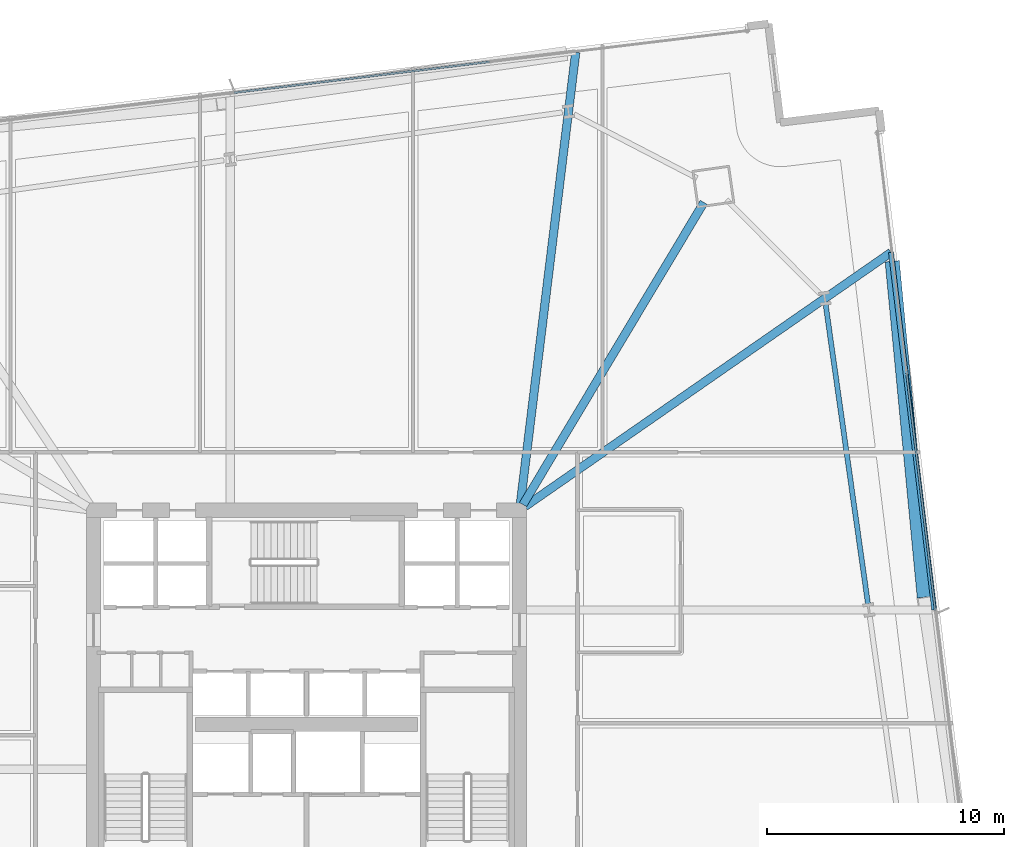
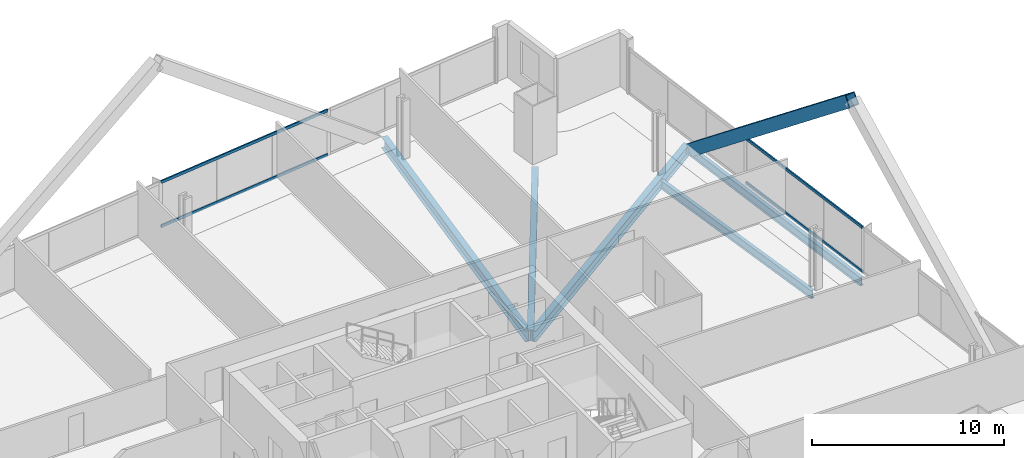
# One storey, part 20 of 33: 5 beams, 5 members, 2 elements without a shape of their own.
"""IFC4 building model written with IfcOpenShell, lengths in metres."""

import ifcopenshell
import ifcopenshell.guid

model = None  # the IFC model being written
_history = None  # IfcOwnerHistory: only IFC2X3 demands one
_inside = {}  # id of a spatial element -> (the spatial element, [elements in it])
_under = {}  # id of a project, library or spatial element -> (it, [spatial elements below it])
_declared = {}  # id of a project -> (the project, [libraries it declares])
_typed = {}  # id of a type object -> (the type object, [elements of that type])
_made_of = {}  # id of a material, layer set ... -> (it, [elements and type objects made of it])


def new_model(schema):
    """Start an empty IFC model of exactly this schema.

    Asked for "IFC4X3", IfcOpenShell would pick the latest addendum, in which some entities
    have other attributes; the version numbers below select the first issue.
    IFC2X3 requires an IfcOwnerHistory on every rooted entity: one is made here for all.
    """
    global model, _history
    if schema == "IFC4X3":
        model = ifcopenshell.file(schema_version=(4, 3, 0, 0))
    else:
        model = ifcopenshell.file(schema=schema)
    _inside.clear()
    _under.clear()
    _declared.clear()
    _typed.clear()
    _made_of.clear()
    _history = None
    if model.schema == "IFC2X3":
        org = make("IfcOrganization", Name="unknown")
        user = make(
            "IfcPersonAndOrganization",
            ThePerson=make("IfcPerson", FamilyName="unknown"),
            TheOrganization=org,
        )
        app = make(
            "IfcApplication",
            ApplicationDeveloper=org,
            Version="unknown",
            ApplicationFullName="unknown",
            ApplicationIdentifier="unknown",
        )
        _history = make(
            "IfcOwnerHistory",
            OwningUser=user,
            OwningApplication=app,
            ChangeAction="ADDED",
            CreationDate=0,
        )
    return model


def make(cls, **values):
    """One entity of the class cls with the attributes given. An attribute that is None is left unset."""
    return model.create_entity(
        cls, **{name: value for name, value in values.items() if value is not None}
    )


def rooted(cls, **values):
    """An entity with a GlobalId (a new one), such as an element, a storey or a relation."""
    return make(cls, GlobalId=ifcopenshell.guid.new(), OwnerHistory=_history, **values)


def si_unit(unit_type, name, prefix=None):
    """IfcSIUnit, for example si_unit("LENGTHUNIT", "METRE", prefix="MILLI")."""
    return make("IfcSIUnit", UnitType=unit_type, Prefix=prefix, Name=name)


def assignment(units):
    """IfcUnitAssignment: the units of a project."""
    return None if units is None else make("IfcUnitAssignment", Units=units)


def point(xyz):
    """IfcCartesianPoint."""
    return None if xyz is None else make("IfcCartesianPoint", Coordinates=xyz)


def direction(xyz):
    """IfcDirection."""
    return None if xyz is None else make("IfcDirection", DirectionRatios=xyz)


def frame(location, z_axis=None, x_axis=None):
    """IfcAxis2Placement3D, a coordinate frame: its origin and axes. An axis left out is left unset."""
    return make(
        "IfcAxis2Placement3D",
        Location=point(location),
        Axis=direction(z_axis),
        RefDirection=direction(x_axis),
    )


def frame_2d(location, x_axis=None):
    """IfcAxis2Placement2D, a coordinate frame in the plane: its origin and x axis."""
    return make(
        "IfcAxis2Placement2D", Location=point(location), RefDirection=direction(x_axis)
    )


def origin():
    """The frame at (0, 0, 0) with its axes left unset."""
    return frame((0.0, 0.0, 0.0))


def origin_2d():
    """The frame at (0, 0) in the plane with its x axis left unset."""
    return frame_2d((0.0, 0.0))


def place(relative_to, where):
    """IfcLocalPlacement: puts the frame where relative to a parent placement (None: the world)."""
    return make(
        "IfcLocalPlacement", PlacementRelTo=relative_to, RelativePlacement=where
    )


def context(
    kind, dimensions, precision=None, world=None, true_north=None, identifier=None
):
    """IfcGeometricRepresentationContext, for example the 3D "Model" context."""
    return make(
        "IfcGeometricRepresentationContext",
        ContextIdentifier=identifier,
        ContextType=kind,
        CoordinateSpaceDimension=dimensions,
        Precision=precision,
        WorldCoordinateSystem=world,
        TrueNorth=true_north,
    )


def subcontext(parent, identifier, kind, view, scale=None):
    """IfcGeometricRepresentationSubContext, for example "Body" below "Model"."""
    return make(
        "IfcGeometricRepresentationSubContext",
        ContextIdentifier=identifier,
        ContextType=kind,
        ParentContext=parent,
        TargetScale=scale,
        TargetView=view,
    )


def project(units=None, contexts=None):
    """IfcProject with its units and contexts."""
    return rooted(
        "IfcProject",
        Name="project",
        RepresentationContexts=contexts,
        UnitsInContext=assignment(units),
    )


def spatial(cls, under=None, at=None, **own):
    """A site, building, storey or space (cls), placed at a placement, below another one or the project."""
    s = rooted(cls, ObjectPlacement=at, **own)
    if under is not None:
        _under.setdefault(under.id(), (under, []))[1].append(s)
    return s


def profile(cls, at=None, kind="AREA", **sizes):
    """A parametric profile (cls). Its sizes go by their IFC names, for example OverallWidth=200.0."""
    return make(cls, ProfileType=kind, Position=at, **sizes)


def hollow_rectangle(**sizes):
    """IfcRectangleHollowProfileDef."""
    return profile("IfcRectangleHollowProfileDef", **sizes)


def i_section(**sizes):
    """IfcIShapeProfileDef."""
    return profile("IfcIShapeProfileDef", **sizes)


def extrude(swept, where, along, depth):
    """IfcExtrudedAreaSolid: the profile swept, set in the frame where, extruded along a direction by depth."""
    return make(
        "IfcExtrudedAreaSolid",
        SweptArea=swept,
        Position=where,
        ExtrudedDirection=direction(along),
        Depth=depth,
    )


def shape(context_of_items, identifier, shape_type, items):
    """IfcShapeRepresentation: the items that make up one representation, for example the "Body"."""
    return make(
        "IfcShapeRepresentation",
        ContextOfItems=context_of_items,
        RepresentationIdentifier=identifier,
        RepresentationType=shape_type,
        Items=items,
    )


def material(Name=None, Category=None):
    """IfcMaterial."""
    return make("IfcMaterial", Name=Name, Category=Category)


def material_profile(
    of_material, cross_section, Name=None, Category=None, Priority=None
):
    """IfcMaterialProfile: a cross section and its material."""
    return make(
        "IfcMaterialProfile",
        Name=Name,
        Material=of_material,
        Profile=cross_section,
        Priority=Priority,
        Category=Category,
    )


def profile_set(profiles, Name=None, composite=None):
    """IfcMaterialProfileSet."""
    return make(
        "IfcMaterialProfileSet",
        Name=Name,
        MaterialProfiles=profiles,
        CompositeProfile=composite,
    )


def made_of(thing, what):
    """Note that an element or type object is made of a material, layer set ...; save() writes the relation."""
    if what is not None:
        _made_of.setdefault(what.id(), (what, []))[1].append(thing)
    return thing


def type_object(cls, material=None, **own):
    """A type object (cls), such as IfcWallType, which elements share."""
    return made_of(rooted(cls, **own), material)


def element(
    cls,
    number,
    at=None,
    inside=None,
    cuts=None,
    type_object=None,
    material=None,
    context=None,
    identifier="Body",
    shape_type=None,
    held_by="IfcProductDefinitionShape",
    body=None,
    shapes=None,
    **own,
):
    """One element of the class cls, such as IfcWall. Its Tag is "e" and its number.

    at: its placement. inside: the storey or other place that contains it. cuts: it is an
    opening in that element (IfcRelVoidsElement). A single representation is given by context,
    identifier, shape_type and body (its items); several are given by shapes. held_by: the class
    of the entity that holds the representations. save() writes the other relations.
    """
    e = rooted(cls, Tag="e%d" % number, ObjectPlacement=at, **own)
    if body is not None:
        shapes = [shape(context, identifier, shape_type, body)]
    if shapes is not None:
        e.Representation = make(held_by, Representations=shapes)
    if inside is not None:
        _inside.setdefault(inside.id(), (inside, []))[1].append(e)
    if cuts is not None:
        rooted(
            "IfcRelVoidsElement", RelatingBuildingElement=cuts, RelatedOpeningElement=e
        )
    if type_object is not None:
        _typed.setdefault(type_object.id(), (type_object, []))[1].append(e)
    return made_of(e, material)


def aggregate(whole, parts):
    """IfcRelAggregates: a whole, such as a stair, and the parts it consists of."""
    return rooted("IfcRelAggregates", RelatingObject=whole, RelatedObjects=parts)


def save(model, path):
    """Write the relations noted so far, then the file.

    IfcRelAggregates (storeys below a building ...), IfcRelContainedInSpatialStructure (elements
    in a storey), IfcRelDefinesByType, IfcRelAssociatesMaterial and IfcRelDeclares: one each for
    every whole, place, type object, material and project.
    """
    for whole, parts in _under.values():
        aggregate(whole, parts)
    for where, things in _inside.values():
        rooted(
            "IfcRelContainedInSpatialStructure",
            RelatedElements=things,
            RelatingStructure=where,
        )
    for kind, things in _typed.values():
        rooted("IfcRelDefinesByType", RelatedObjects=things, RelatingType=kind)
    for what, things in _made_of.values():
        rooted("IfcRelAssociatesMaterial", RelatedObjects=things, RelatingMaterial=what)
    for by, libraries in _declared.values():
        rooted("IfcRelDeclares", RelatingContext=by, RelatedDefinitions=libraries)
    model.write(path)


model = new_model("IFC4")

# Units and contexts
model_context = context("Model", 3, precision=1e-05, world=origin(), true_north=direction((0.0, 1.0)))
body_context = subcontext(model_context, "Body", "Model", "MODEL_VIEW")
ifc_project = project(units=[si_unit("LENGTHUNIT", "METRE"), si_unit("AREAUNIT", "SQUARE_METRE"), si_unit("VOLUMEUNIT", "CUBIC_METRE"), si_unit("PLANEANGLEUNIT", "RADIAN"), si_unit("MASSUNIT", "GRAM", prefix="KILO")], contexts=[model_context])

# Site, building, storey
site_placement = place(None, origin())
site = spatial("IfcSite", under=ifc_project, at=site_placement, CompositionType="ELEMENT")
building_placement = place(site_placement, origin())
building = spatial("IfcBuilding", under=site, at=building_placement, Name="Haldenkirk Collegiate Tower", CompositionType="ELEMENT")
storey_placement = place(building_placement, frame((0.0, 0.0, 51.449951171875)))
storey = spatial("IfcBuildingStorey", under=building, at=storey_placement, Name="L11", CompositionType="ELEMENT", Elevation=51.449951171875)

# Beams
ifc_material_1 = material(Name="Steel ASTM A992 Grade 50", Category="steel")
ifc_material_profile_1 = material_profile(ifc_material_1, i_section(OverallWidth=0.35498046875, OverallDepth=0.696044921875, WebThickness=0.015380859375, FlangeThickness=0.02490234375, at=origin_2d()), Name="W27X146")
ifc_profile_set_1 = profile_set([ifc_material_profile_1], Name="Steel ASTM A992 Grade 50")
beam_type_1 = type_object("IfcBeamType", Name="BM-GIRDER-W27X146", PredefinedType="BEAM", material=ifc_profile_set_1)
beam_1_placement = place(storey_placement, frame((52.783935546875, 47.000732421875, -0.657958984375), z_axis=(-0.513696499257, -0.857971973115, 0.0), x_axis=(0.857971973115, -0.513696499257, 0.0)))
element("IfcBeam", 1, at=beam_1_placement, inside=storey, type_object=beam_type_1, Name="L11 primary floor girder 03", PredefinedType="BEAM", context=body_context, shape_type="SweptSolid", body=[
    extrude(i_section(OverallWidth=0.35498046875, OverallDepth=0.696044921875, WebThickness=0.015380859375, FlangeThickness=0.02490234375, at=origin_2d()), origin(), (0.0, 0.0, 1.0), 14.872802734375),
])
beam_2_placement = place(storey_placement, frame((60.689453125, 44.89013671875, -0.657958984375), z_axis=(-0.821501298671, -0.570206643492, 0.0), x_axis=(0.570206643492, -0.821501298671, 0.0)))
element("IfcBeam", 2, at=beam_2_placement, inside=storey, type_object=beam_type_1, Name="L11 primary floor girder 10", PredefinedType="BEAM", context=body_context, shape_type="SweptSolid", body=[
    extrude(i_section(OverallWidth=0.35498046875, OverallDepth=0.696044921875, WebThickness=0.015380859375, FlangeThickness=0.02490234375, at=origin_2d()), origin(), (0.0, 0.0, 1.0), 18.818603515625),
])
beam_3_placement = place(storey_placement, frame((47.37255859375, 53.34423828125, -0.657958984375), z_axis=(-0.121731825863, -0.992563027002, 0.0), x_axis=(0.992563027002, -0.121731825863, 0.0)))
element("IfcBeam", 3, at=beam_3_placement, inside=storey, type_object=beam_type_1, Name="L11 primary floor girder 11", PredefinedType="BEAM", context=body_context, shape_type="SweptSolid", body=[
    extrude(i_section(OverallWidth=0.35498046875, OverallDepth=0.696044921875, WebThickness=0.015380859375, FlangeThickness=0.02490234375, at=origin_2d()), origin(), (0.0, 0.0, 1.0), 19.209228515625),
])
ifc_material_profile_2 = material_profile(ifc_material_1, i_section(OverallWidth=0.2119140625, OverallDepth=0.5439453125, WebThickness=0.01318359375, FlangeThickness=0.021240234375, at=origin_2d()), Name="W21X83")
ifc_profile_set_2 = profile_set([ifc_material_profile_2], Name="Steel ASTM A992 Grade 50")
beam_type_2 = type_object("IfcBeamType", Name="BM-SPANDREL-W21X83", PredefinedType="SPANDREL", material=ifc_profile_set_2)
beam_4_placement = place(storey_placement, frame((59.716552734375, 30.050537109375, -0.58203125), z_axis=(-0.140052642207, 0.990144058918, 0.0), x_axis=(-0.990144058918, -0.140052642207, 0.0)))
element("IfcBeam", 4, at=beam_4_placement, inside=storey, type_object=beam_type_2, Name="L11 perimeter spandrel beam 07", PredefinedType="SPANDREL", context=body_context, shape_type="SweptSolid", body=[
    extrude(i_section(OverallWidth=0.2119140625, OverallDepth=0.5439453125, WebThickness=0.01318359375, FlangeThickness=0.021240234375, at=origin_2d()), origin(), (0.0, 0.0, 1.0), 12.761962890625),
])
beam_5_placement = place(storey_placement, frame((62.516845703125, 29.788818359375, -0.58203125), z_axis=(-0.120132449759, 0.992757873056, 0.0), x_axis=(-0.992757873056, -0.120132449759, 0.0)))
element("IfcBeam", 5, at=beam_5_placement, inside=storey, type_object=beam_type_2, Name="L11 outer facade edge beam 2B", PredefinedType="SPANDREL", context=body_context, shape_type="SweptSolid", body=[
    extrude(i_section(OverallWidth=0.2119140625, OverallDepth=0.5439453125, WebThickness=0.01318359375, FlangeThickness=0.021240234375, at=origin_2d()), origin(), (0.0, 0.0, 1.0), 15.21142578125),
])

# Curtain wall, members
ifc_material_2 = material(Name="Anodised architectural bronze aluminium", Category="aluminium")
curtain_wall_type = type_object("IfcCurtainWallType", Name="CW-SYS1-CONVEX-LOW", PredefinedType="USERDEFINED", material=ifc_material_2)
curtain_wall_1_placement = place(storey_placement, origin())
curtain_wall_1 = element("IfcCurtainWall", 6, at=curtain_wall_1_placement, inside=storey, type_object=curtain_wall_type, Name="L11 Lower tower convex bronze-framed unitised curtain wall", ObjectType="UNITISED CURTAIN WALL", PredefinedType="USERDEFINED")
ifc_material_profile_3 = material_profile(ifc_material_2, hollow_rectangle(XDim=0.080078125, YDim=0.179931640625, WallThickness=0.0048828125, at=origin_2d()), Name="CW-TRN-1A")
ifc_profile_set_3 = profile_set([ifc_material_profile_3], Name="Anodised architectural bronze aluminium")
member_type_1 = type_object("IfcMemberType", Name="CW-TRN-1A", PredefinedType="USERDEFINED", material=ifc_profile_set_3)
member_1_placement = place(storey_placement, frame((61.34521484375, 39.804931640625, 0.0400390625), z_axis=(0.12011450862, -0.992760043928, 0.0), x_axis=(0.992760043928, 0.12011450862, 0.0)))
member_1 = element("IfcMember", 7, at=member_1_placement, type_object=member_type_1, Name="CW-1A transom 2.1", ObjectType="TRANSOM", PredefinedType="USERDEFINED", context=body_context, shape_type="SweptSolid", body=[
    extrude(hollow_rectangle(XDim=0.080078125, YDim=0.179931640625, WallThickness=0.0048828125, at=origin_2d()), origin(), (0.0, 0.0, 1.0), 10.1201171875),
])
member_2_placement = place(storey_placement, frame((61.34521484375, 39.804931640625, 2.85107421875), z_axis=(0.12011450862, -0.992760043928, 0.0), x_axis=(0.992760043928, 0.12011450862, 0.0)))
member_2 = element("IfcMember", 8, at=member_2_placement, type_object=member_type_1, Name="CW-1A transom 2.2", ObjectType="TRANSOM", PredefinedType="USERDEFINED", context=body_context, shape_type="SweptSolid", body=[
    extrude(hollow_rectangle(XDim=0.080078125, YDim=0.179931640625, WallThickness=0.0048828125, at=origin_2d()), origin(), (0.0, 0.0, 1.0), 10.1201171875),
])
aggregate(curtain_wall_1, [member_1, member_2])

curtain_wall_2_placement = place(storey_placement, origin())
curtain_wall_2 = element("IfcCurtainWall", 9, at=curtain_wall_2_placement, inside=storey, type_object=curtain_wall_type, Name="L11 Lower tower convex bronze-framed unitised curtain wall", ObjectType="UNITISED CURTAIN WALL", PredefinedType="USERDEFINED")
member_3_placement = place(storey_placement, frame((32.937744140625, 51.6376953125, 0.0400390625), z_axis=(0.99275709744, 0.120138859171, 0.0), x_axis=(-0.120138859171, 0.99275709744, 0.0)))
member_3 = element("IfcMember", 10, at=member_3_placement, type_object=member_type_1, Name="CW-1A transom 3.1", ObjectType="TRANSOM", PredefinedType="USERDEFINED", context=body_context, shape_type="SweptSolid", body=[
    extrude(hollow_rectangle(XDim=0.080078125, YDim=0.179931640625, WallThickness=0.0048828125, at=origin_2d()), origin(), (0.0, 0.0, 1.0), 10.869873046875),
])
member_4_placement = place(storey_placement, frame((32.937744140625, 51.6376953125, 2.85107421875), z_axis=(0.99275709744, 0.120138859171, 0.0), x_axis=(-0.120138859171, 0.99275709744, 0.0)))
member_4 = element("IfcMember", 11, at=member_4_placement, type_object=member_type_1, Name="CW-1A transom 3.2", ObjectType="TRANSOM", PredefinedType="USERDEFINED", context=body_context, shape_type="SweptSolid", body=[
    extrude(hollow_rectangle(XDim=0.080078125, YDim=0.179931640625, WallThickness=0.0048828125, at=origin_2d()), origin(), (0.0, 0.0, 1.0), 10.869873046875),
])
aggregate(curtain_wall_2, [member_3, member_4])

# Member
ifc_material_3 = material(Name="Steel ASTM A572 Grade 50", Category="steel")
ifc_material_profile_4 = material_profile(ifc_material_3, hollow_rectangle(XDim=0.60009765625, YDim=0.719970703125, WallThickness=0.044921875, at=origin_2d()), Name="BOX720X600X45")
ifc_profile_set_4 = profile_set([ifc_material_profile_4], Name="Steel ASTM A572 Grade 50")
member_type_2 = type_object("IfcMemberType", Name="MBR-MEGABRACE-BOX720X600X45", PredefinedType="BRACE", material=ifc_profile_set_4)
member_5_placement = place(storey_placement, frame((60.761474609375, 44.29443359375, -0.320068359375), z_axis=(0.074680869859, -0.781440187477, 0.619494956455), x_axis=(0.995464400132, 0.095134788954, 0.0)))
element("IfcMember", 12, at=member_5_placement, inside=storey, type_object=member_type_2, Name="Perimeter Mega Brace Z1 L11-L13 ER", PredefinedType="BRACE", context=body_context, shape_type="SweptSolid", body=[
    extrude(hollow_rectangle(XDim=0.60009765625, YDim=0.719970703125, WallThickness=0.044921875, at=origin_2d()), origin(), (0.0, 0.0, 1.0), 18.159912109375),
])

save(model, "model.ifc")
